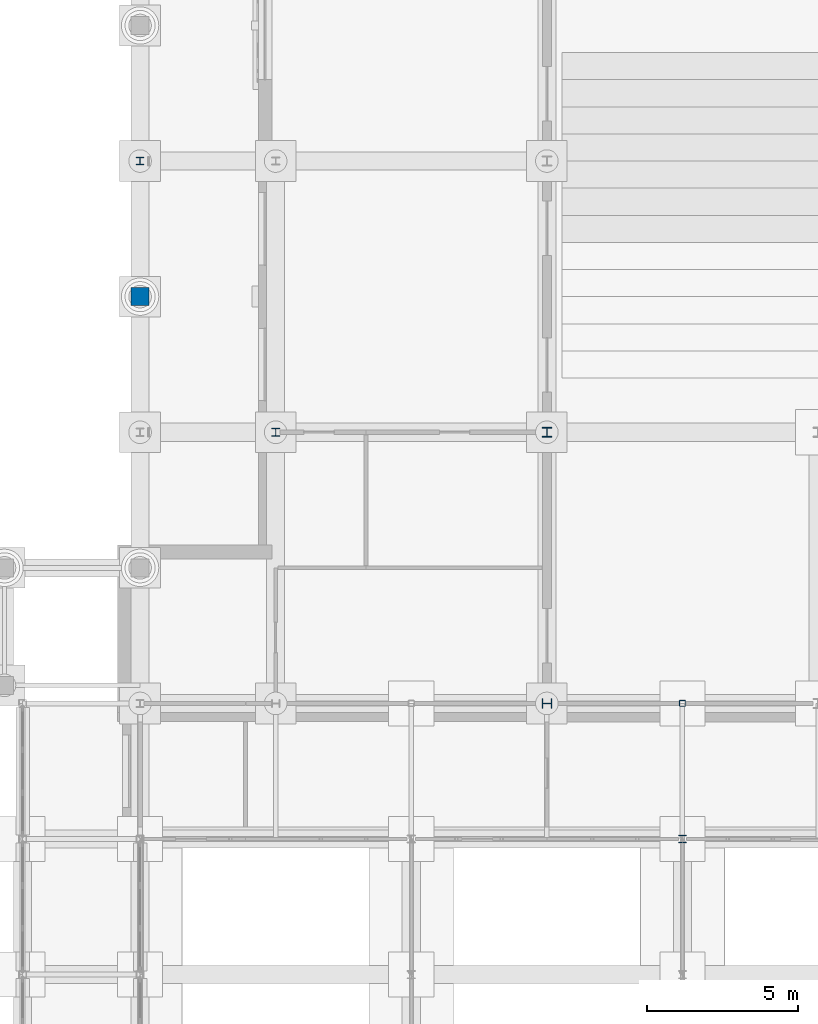
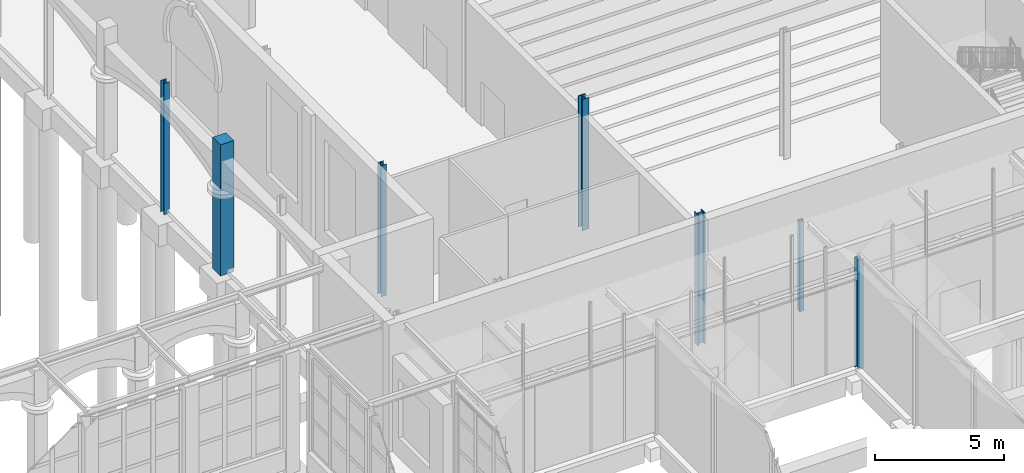
# One storey, part 20 of 106: 7 columns.
"""IFC4 building model written with IfcOpenShell, lengths in metres."""

from ifc_helpers import new_model, si_unit, direction, frame, origin, origin_2d, place, context, subcontext, project, spatial, rectangle, hollow_rectangle, i_section, extrude, material, material_profile, profile_set, type_object, element, save


model = new_model("IFC4")

# Units and contexts
model_context = context("Model", 3, precision=1e-05, world=origin(), true_north=direction((0.0, 1.0)))
body_context = subcontext(model_context, "Body", "Model", "MODEL_VIEW")
ifc_project = project(units=[si_unit("LENGTHUNIT", "METRE"), si_unit("AREAUNIT", "SQUARE_METRE"), si_unit("VOLUMEUNIT", "CUBIC_METRE"), si_unit("PLANEANGLEUNIT", "RADIAN"), si_unit("MASSUNIT", "GRAM", prefix="KILO")], contexts=[model_context])

# Site, building, storey
site_placement = place(None, origin())
site = spatial("IfcSite", under=ifc_project, at=site_placement, CompositionType="ELEMENT")
building_placement = place(site_placement, origin())
building = spatial("IfcBuilding", under=site, at=building_placement, Name="Hortulan Conservatory and Botanical Research Centre", CompositionType="ELEMENT")
storey_placement = place(building_placement, origin())
storey = spatial("IfcBuildingStorey", under=building, at=storey_placement, Name="L00", CompositionType="ELEMENT", Elevation=0.0)

# Columns
ifc_material_1 = material(Name="Steel Grade 300PLUS (AS/NZS 3679.1, 280 MPa minimum yield)", Category="steel")
ifc_material_profile_1 = material_profile(ifc_material_1, i_section(OverallWidth=0.256103515625, OverallDepth=0.260009765625, WebThickness=0.010498046875, FlangeThickness=0.017333984375, FilletRadius=0.013916015625, at=origin_2d()), Name="250UC89.5")
ifc_profile_set_1 = profile_set([ifc_material_profile_1], Name="Steel Grade 300PLUS (AS/NZS 3679.1, 280 MPa minimum yield)")
column_type_1 = type_object("IfcColumnType", Name="Auditorium Column 250UC89.5", PredefinedType="COLUMN", material=ifc_profile_set_1)
for number, where, z_axis, x_axis, name in (
    (1, (76.5, 54.0, -0.199951171875), (0.0, 0.0, 1.0), (1.0, 0.0, 0.0), "250UC89.5 column"),
    (2, (81.0, 45.0, -0.199951171875), (0.0, 0.0, 1.0), (1.0, 0.0, 0.0), "250UC89.5 column"),
):
    element("IfcColumn", number, at=place(storey_placement, frame(where, z_axis=z_axis, x_axis=x_axis)), inside=storey, type_object=column_type_1, Name=name, PredefinedType="COLUMN", context=body_context, shape_type="SweptSolid", body=[
        extrude(i_section(OverallWidth=0.256103515625, OverallDepth=0.260009765625, WebThickness=0.010498046875, FlangeThickness=0.017333984375, FilletRadius=0.013916015625, at=origin_2d()), origin(), (0.0, 0.0, 1.0), 6.199951171875),
    ])
ifc_material_profile_2 = material_profile(ifc_material_1, i_section(OverallWidth=0.30908203125, OverallDepth=0.321044921875, WebThickness=0.013916015625, FlangeThickness=0.021728515625, FilletRadius=0.0166015625, at=origin_2d()), Name="310UC137")
ifc_profile_set_2 = profile_set([ifc_material_profile_2], Name="Steel Grade 300PLUS (AS/NZS 3679.1, 280 MPa minimum yield)")
column_type_2 = type_object("IfcColumnType", Name="Auditorium Column 310UC137", PredefinedType="COLUMN", material=ifc_profile_set_2)
for number, where, z_axis, x_axis, name in (
    (3, (90.0, 36.0, -0.199951171875), (0.0, 0.0, 1.0), (0.0, 1.0, 0.0), "310UC137 column"),
    (4, (90.0, 45.0, -0.199951171875), (0.0, 0.0, 1.0), (1.0, 0.0, 0.0), "310UC137 column"),
):
    element("IfcColumn", number, at=place(storey_placement, frame(where, z_axis=z_axis, x_axis=x_axis)), inside=storey, type_object=column_type_2, Name=name, PredefinedType="COLUMN", context=body_context, shape_type="SweptSolid", body=[
        extrude(i_section(OverallWidth=0.30908203125, OverallDepth=0.321044921875, WebThickness=0.013916015625, FlangeThickness=0.021728515625, FilletRadius=0.0166015625, at=origin_2d()), origin(), (0.0, 0.0, 1.0), 6.199951171875),
    ])
ifc_material_profile_3 = material_profile(ifc_material_1, i_section(OverallWidth=0.25390625, OverallDepth=0.25390625, WebThickness=0.008544921875, FlangeThickness=0.01416015625, FilletRadius=0.013916015625, at=origin_2d()), Name="250UC72.9")
ifc_profile_set_3 = profile_set([ifc_material_profile_3], Name="Steel Grade 300PLUS (AS/NZS 3679.1, 280 MPa minimum yield)")
column_type_3 = type_object("IfcColumnType", Name="Climate House Column 250UC72.9", PredefinedType="COLUMN", material=ifc_profile_set_3)
column_1_placement = place(storey_placement, frame((94.5, 31.5, -0.199951171875), z_axis=(0.0, 0.0, 1.0), x_axis=(1.0, 0.0, 0.0)))
element("IfcColumn", 5, at=column_1_placement, inside=storey, type_object=column_type_3, Name="Climate house column F3-8", PredefinedType="COLUMN", context=body_context, shape_type="SweptSolid", body=[
    extrude(i_section(OverallWidth=0.25390625, OverallDepth=0.25390625, WebThickness=0.008544921875, FlangeThickness=0.01416015625, FilletRadius=0.013916015625, at=origin_2d()), origin(), (0.0, 0.0, 1.0), 5.199951171875),
])
ifc_material_2 = material(Name="Steel Grade C450L0 (450 MPa, AS/NZS 1163)", Category="steel")
ifc_material_profile_4 = material_profile(ifc_material_2, hollow_rectangle(XDim=0.199951171875, YDim=0.199951171875, WallThickness=0.009033203125, InnerFilletRadius=0.013427734375, OuterFilletRadius=0.0224609375, at=origin_2d()), Name="200x200x9SHS")
ifc_profile_set_4 = profile_set([ifc_material_profile_4], Name="Steel Grade C450L0 (450 MPa, AS/NZS 1163)")
column_type_4 = type_object("IfcColumnType", Name="Gardeners Block Column 200x200x9 SHS", PredefinedType="COLUMN", material=ifc_profile_set_4)
column_2_placement = place(storey_placement, frame((94.5, 36.0, -0.199951171875), z_axis=(0.0, 0.0, 1.0), x_axis=(1.0, 0.0, 0.0)))
element("IfcColumn", 6, at=column_2_placement, inside=storey, type_object=column_type_4, Name="Gardeners block rear column 94.5", PredefinedType="COLUMN", context=body_context, shape_type="SweptSolid", body=[
    extrude(hollow_rectangle(XDim=0.199951171875, YDim=0.199951171875, WallThickness=0.009033203125, InnerFilletRadius=0.013427734375, OuterFilletRadius=0.0224609375, at=origin_2d()), origin(), (0.0, 0.0, 1.0), 4.245849609375),
])
ifc_material_3 = material(Name="Sandstone masonry (25 MPa, AS 3700)", Category="masonry")
ifc_material_profile_5 = material_profile(ifc_material_3, rectangle(XDim=0.60009765625, YDim=0.60009765625, at=origin_2d()), Name="Square pier 600")
ifc_profile_set_5 = profile_set([ifc_material_profile_5], Name="Sandstone masonry (25 MPa, AS 3700)")
column_type_5 = type_object("IfcColumnType", Name="Sandstone Arcade Pier 600x600", PredefinedType="COLUMN", material=ifc_profile_set_5)
column_3_placement = place(storey_placement, frame((76.5, 49.5, -0.199951171875), z_axis=(0.0, 0.0, 1.0), x_axis=(1.0, 0.0, 0.0)))
element("IfcColumn", 7, at=column_3_placement, inside=storey, type_object=column_type_5, Name="Sandstone arcade pier P-76.5-49.5 L00", PredefinedType="COLUMN", context=body_context, shape_type="SweptSolid", body=[
    extrude(rectangle(XDim=0.60009765625, YDim=0.60009765625, at=origin_2d()), origin(), (0.0, 0.0, 1.0), 6.199951171875),
])

save(model, "model.ifc")
